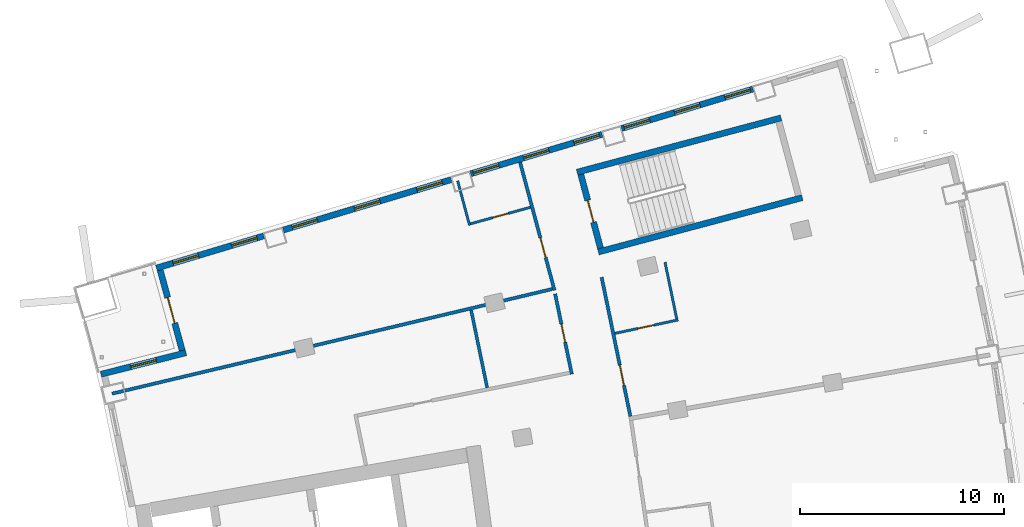
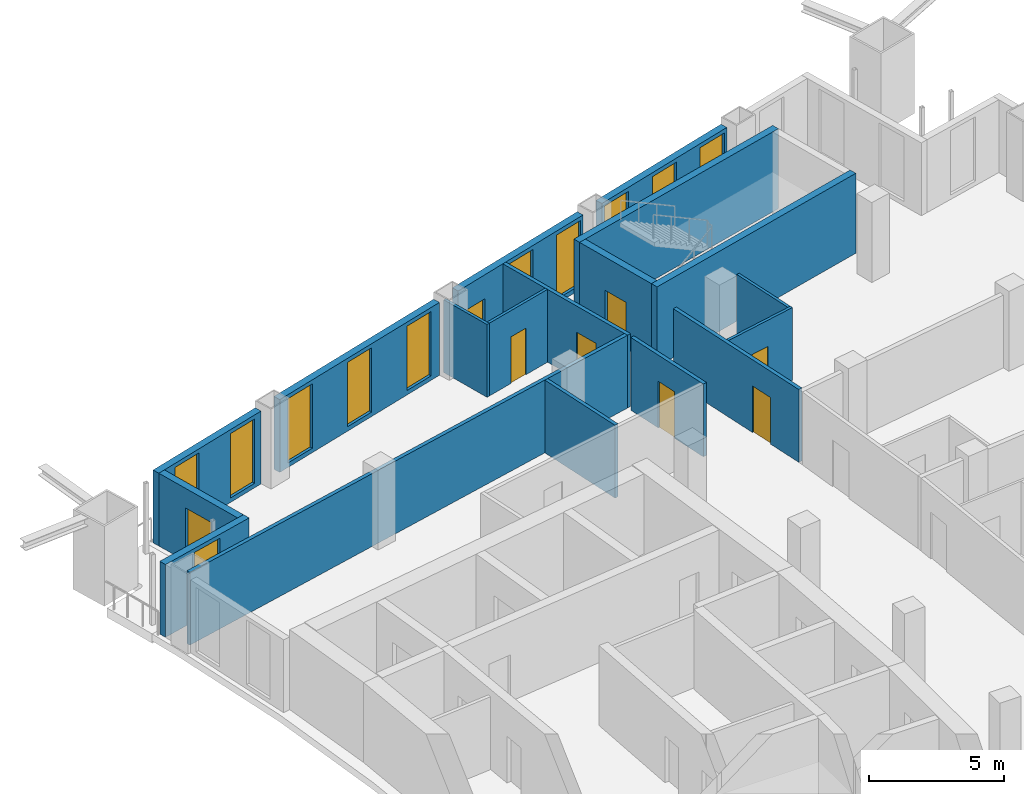
# One storey, part 16 of 20: 18 walls, 12 windows, 7 doors, 19 openings.
"""IFC4 building model written with IfcOpenShell, lengths in metres."""

from ifc_helpers import new_model, si_unit, direction, frame, frame_2d, origin, place, context, subcontext, project, spatial, rectangle, extrude, material, layer, layer_set, type_object, element, fill, save


model = new_model("IFC4")

# Units and contexts
model_context = context("Model", 3, precision=1e-05, world=origin(), true_north=direction((0.0, 1.0)))
body_context = subcontext(model_context, "Body", "Model", "MODEL_VIEW")
ifc_project = project(units=[si_unit("LENGTHUNIT", "METRE"), si_unit("AREAUNIT", "SQUARE_METRE"), si_unit("VOLUMEUNIT", "CUBIC_METRE"), si_unit("PLANEANGLEUNIT", "RADIAN"), si_unit("MASSUNIT", "GRAM", prefix="KILO")], contexts=[model_context])

# Site, building, storey
site_placement = place(None, origin())
site = spatial("IfcSite", under=ifc_project, at=site_placement, CompositionType="ELEMENT")
building_placement = place(site_placement, origin())
building = spatial("IfcBuilding", under=site, at=building_placement, Name="Alderwake Tower", CompositionType="ELEMENT")
storey_placement = place(building_placement, frame((0.0, 0.0, 178.39990234375)))
storey = spatial("IfcBuildingStorey", under=building, at=storey_placement, Name="L44", CompositionType="ELEMENT", Elevation=178.39990234375)

# Walls
ifc_material_1 = material(Name="Concrete C70/85", Category="concrete")
ifc_layer_1 = layer(ifc_material_1, 0.300048828125)
ifc_layer_set_1 = layer_set([ifc_layer_1], Name="Core wall stair enclosure 300 C70-85")
wall_type_1 = type_object("IfcWallType", Name="Core wall stair enclosure 300 C70-85", PredefinedType="SHEAR", material=ifc_layer_set_1)
for number, where, z_axis, x_axis, name in (
    (1, (36.71142578125, 94.182373046875, 0.0), (0.0, 0.0, 1.0), (0.966309214305, 0.257383958996, 0.0), "Core wall CW.082"),
    (2, (37.75390625, 90.268798828125, 0.0), (0.0, 0.0, 1.0), (0.966309214305, 0.257383958996, 0.0), "Core wall CW.084"),
):
    element("IfcWall", number, at=place(storey_placement, frame(where, z_axis=z_axis, x_axis=x_axis)), inside=storey, type_object=wall_type_1, Name=name, PredefinedType="SHEAR", context=body_context, shape_type="SweptSolid", body=[
        extrude(rectangle(XDim=10.360107421875, YDim=0.300048828125, at=frame_2d((5.18017578125, 0.0))), origin(), (0.0, 0.0, 1.0), 3.60009765625),
    ])

# Wall, opening, door
wall_1_placement = place(storey_placement, frame((37.8603515625, 90.452392578125, 0.0), z_axis=(0.0, 0.0, 1.0), x_axis=(-0.257411420208, 0.966301899381, 0.0)))
wall_1 = element("IfcWall", 3, at=wall_1_placement, inside=storey, type_object=wall_type_1, Name="Core wall CW.083", PredefinedType="SHEAR", context=body_context, shape_type="SweptSolid", body=[
    extrude(rectangle(XDim=3.750244140625, YDim=0.300048828125, at=frame_2d((1.875, 0.0))), origin(), (0.0, 0.0, 1.0), 3.60009765625),
])
opening_1_placement = place(wall_1_placement, frame((1.324951171875, 0.0, 0.0)))
opening_1 = element("IfcOpeningElement", 4, at=opening_1_placement, cuts=wall_1, Name="Opening C062", PredefinedType="OPENING", context=body_context, shape_type="SweptSolid", body=[
    extrude(rectangle(XDim=1.10009765625, YDim=2.10009765625, at=frame_2d((0.550048828125, 1.050048828125))), frame((0.0, 0.159912109375, 0.0), z_axis=(0.0, -1.0, 0.0), x_axis=(1.0, 0.0, 0.0)), (0.0, 0.0, 1.0), 0.320068359375),
])
ifc_material_2 = material(Name="Steel-framed fire door leaf", Category="steel")
door_type_1 = type_object("IfcDoorType", Name="Core stair door 1100 fire-rated", OperationType="SINGLE_SWING_LEFT", PredefinedType="DOOR", material=ifc_material_2)
door_1_placement = place(opening_1_placement, origin())
door_1 = element("IfcDoor", 5, at=door_1_placement, inside=storey, type_object=door_type_1, Name="Stair door", OperationType="SINGLE_SWING_RIGHT", OverallHeight=2.10009765625, OverallWidth=1.10009765625, PredefinedType="DOOR", context=body_context, shape_type="SweptSolid", body=[
    extrude(rectangle(XDim=1.10009765625, YDim=2.10009765625, at=frame_2d((0.550048828125, 1.050048828125))), frame((0.0, 0.02490234375, 0.0), z_axis=(0.0, -1.0, 0.0), x_axis=(1.0, 0.0, 0.0)), (0.0, 0.0, 1.0), 0.050048828125),
])
fill(opening_1, door_1)

ifc_material_3 = material(Name="Gypsum board on metal studs, rated")
ifc_layer_2 = layer(ifc_material_3, 0.159912109375)
ifc_layer_set_2 = layer_set([ifc_layer_2], Name="Corridor wall 160")
wall_type_2 = type_object("IfcWallType", Name="Corridor wall 160", PredefinedType="PARTITIONING", material=ifc_layer_set_2)
wall_2_placement = place(storey_placement, frame((35.600830078125, 88.392578125, 0.0), z_axis=(0.0, 0.0, 1.0), x_axis=(-0.259509260101, 0.965740619381, 0.0)))
wall_2 = element("IfcWall", 6, at=wall_2_placement, inside=storey, type_object=wall_type_2, Name="WL/L44/W19", PredefinedType="PARTITIONING", context=body_context, shape_type="SweptSolid", body=[
    extrude(rectangle(XDim=6.50732421875, YDim=0.159912109375, at=frame_2d((3.253662109375, 0.0))), origin(), (0.0, 0.0, 1.0), 3.280029296875),
])
opening_2_placement = place(wall_2_placement, frame((1.65771484375, 0.0, 0.0)))
opening_2 = element("IfcOpeningElement", 7, at=opening_2_placement, cuts=wall_2, Name="Opening R12-U11.1", PredefinedType="OPENING", context=body_context, shape_type="SweptSolid", body=[
    extrude(rectangle(XDim=1.0, YDim=2.10009765625, at=frame_2d((0.5, 1.050048828125))), frame((0.0, 0.08984375, 0.0), z_axis=(0.0, -1.0, 0.0), x_axis=(1.0, 0.0, 0.0)), (0.0, 0.0, 1.0), 0.179931640625),
])
ifc_material_4 = material(Name="Solid timber leaf in steel frame", Category="steel")
door_type_2 = type_object("IfcDoorType", Name="Flat entrance door 1000 fire-rated", OperationType="SINGLE_SWING_LEFT", PredefinedType="DOOR", material=ifc_material_4)
door_2_placement = place(opening_2_placement, origin())
door_2 = element("IfcDoor", 8, at=door_2_placement, inside=storey, type_object=door_type_2, Name="DR/L44/U11.1", OperationType="SINGLE_SWING_LEFT", OverallHeight=2.10009765625, OverallWidth=1.0, PredefinedType="DOOR", context=body_context, shape_type="SweptSolid", body=[
    extrude(rectangle(XDim=1.0, YDim=2.10009765625, at=frame_2d((0.5, 1.050048828125))), frame((0.0, 0.02490234375, 0.0), z_axis=(0.0, -1.0, 0.0), x_axis=(1.0, 0.0, 0.0)), (0.0, 0.0, 1.0), 0.050048828125),
])
fill(opening_2, door_2)

# Wall
wall_3_placement = place(storey_placement, frame((35.502197265625, 88.451416015625, 0.0), z_axis=(0.0, 0.0, 1.0), x_axis=(-0.972894913244, -0.231247676278, 0.0)))
element("IfcWall", 9, at=wall_3_placement, inside=storey, type_object=wall_type_2, Name="WL/L44/W21", PredefinedType="PARTITIONING", context=body_context, shape_type="SweptSolid", body=[
    extrude(rectangle(XDim=22.220458984375, YDim=0.159912109375, at=frame_2d((11.1103515625, 0.0))), origin(), (0.0, 0.0, 1.0), 3.280029296875),
])

# Wall, opening, door
wall_4_placement = place(storey_placement, frame((36.451416015625, 84.272705078125, 0.0), z_axis=(0.0, 0.0, 1.0), x_axis=(-0.203258199701, 0.979125172924, 0.0)))
wall_4 = element("IfcWall", 10, at=wall_4_placement, inside=storey, type_object=wall_type_2, Name="WL/L44/W22", PredefinedType="PARTITIONING", context=body_context, shape_type="SweptSolid", body=[
    extrude(rectangle(XDim=4.020263671875, YDim=0.159912109375, at=frame_2d((2.01025390625, 0.0))), origin(), (0.0, 0.0, 1.0), 3.280029296875),
])
opening_3_placement = place(wall_4_placement, frame((1.599609375, 0.0, 0.0)))
opening_3 = element("IfcOpeningElement", 11, at=opening_3_placement, cuts=wall_4, Name="Opening R12-SBN2", PredefinedType="OPENING", context=body_context, shape_type="SweptSolid", body=[
    extrude(rectangle(XDim=0.89990234375, YDim=2.10009765625, at=frame_2d((0.449951171875, 1.050048828125))), frame((0.0, 0.08984375, 0.0), z_axis=(0.0, -1.0, 0.0), x_axis=(1.0, 0.0, 0.0)), (0.0, 0.0, 1.0), 0.179931640625),
])
ifc_material_5 = material(Name="Painted timber leaf", Category="wood")
door_type_3 = type_object("IfcDoorType", Name="Room door 900", OperationType="SINGLE_SWING_LEFT", PredefinedType="DOOR", material=ifc_material_5)
door_3_placement = place(opening_3_placement, origin())
door_3 = element("IfcDoor", 12, at=door_3_placement, inside=storey, type_object=door_type_3, Name="DR/L44/SBN2", OperationType="SINGLE_SWING_LEFT", OverallHeight=2.10009765625, OverallWidth=0.89990234375, PredefinedType="DOOR", context=body_context, shape_type="SweptSolid", body=[
    extrude(rectangle(XDim=0.89990234375, YDim=2.10009765625, at=frame_2d((0.449951171875, 1.050048828125))), frame((0.0, 0.02490234375, 0.0), z_axis=(0.0, -1.0, 0.0), x_axis=(1.0, 0.0, 0.0)), (0.0, 0.0, 1.0), 0.050048828125),
])
fill(opening_3, door_3)

wall_5_placement = place(storey_placement, frame((37.9169921875, 89.02490234375, 0.0), z_axis=(0.0, 0.0, 1.0), x_axis=(0.202416809878, -0.97929946139, 0.0)))
wall_5 = element("IfcWall", 13, at=wall_5_placement, inside=storey, type_object=wall_type_2, Name="WL/L44/W27", PredefinedType="PARTITIONING", context=body_context, shape_type="SweptSolid", body=[
    extrude(rectangle(XDim=6.97021484375, YDim=0.159912109375, at=frame_2d((3.485107421875, 0.0))), origin(), (0.0, 0.0, 1.0), 3.280029296875),
])
opening_4_placement = place(wall_5_placement, frame((4.3994140625, 0.0, 0.0)))
opening_4 = element("IfcOpeningElement", 14, at=opening_4_placement, cuts=wall_5, Name="Opening R12-U09.1", PredefinedType="OPENING", context=body_context, shape_type="SweptSolid", body=[
    extrude(rectangle(XDim=1.0, YDim=2.10009765625, at=frame_2d((0.5, 1.050048828125))), frame((0.0, 0.08984375, 0.0), z_axis=(0.0, -1.0, 0.0), x_axis=(1.0, 0.0, 0.0)), (0.0, 0.0, 1.0), 0.179931640625),
])
door_4_placement = place(opening_4_placement, origin())
door_4 = element("IfcDoor", 15, at=door_4_placement, inside=storey, type_object=door_type_2, Name="DR/L44/U09.1", OperationType="SINGLE_SWING_LEFT", OverallHeight=2.10009765625, OverallWidth=1.0, PredefinedType="DOOR", context=body_context, shape_type="SweptSolid", body=[
    extrude(rectangle(XDim=1.0, YDim=2.10009765625, at=frame_2d((0.5, 1.050048828125))), frame((0.0, 0.02490234375, 0.0), z_axis=(0.0, -1.0, 0.0), x_axis=(1.0, 0.0, 0.0)), (0.0, 0.0, 1.0), 0.050048828125),
])
fill(opening_4, door_4)

# Wall, openings, windows
ifc_material_6 = material(Name="Bronze metal cladding on lightweight framing")
ifc_layer_3 = layer(ifc_material_6, 0.300048828125)
ifc_layer_set_3 = layer_set([ifc_layer_3], Name="External wall EW2 bronze metal cladding")
wall_type_3 = type_object("IfcWallType", Name="External wall EW2 bronze metal cladding", PredefinedType="SOLIDWALL", material=ifc_layer_set_3)
wall_6_placement = place(storey_placement, frame((45.341552734375, 98.265625, 0.0), z_axis=(0.0, 0.0, 1.0), x_axis=(-0.957769353605, -0.287537589359, 0.0)))
wall_6 = element("IfcWall", 16, at=wall_6_placement, inside=storey, type_object=wall_type_3, Name="External wall 24", PredefinedType="SOLIDWALL", context=body_context, shape_type="SweptSolid", body=[
    extrude(rectangle(XDim=6.729736328125, YDim=0.300048828125, at=frame_2d((3.36474609375, 0.0))), origin(), (0.0, 0.0, 1.0), 3.280029296875),
])
opening_5_placement = place(wall_6_placement, frame((0.13720703125, 0.0, 0.199951171875)))
opening_5 = element("IfcOpeningElement", 17, at=opening_5_placement, cuts=wall_6, Name="Opening W1", PredefinedType="OPENING", context=body_context, shape_type="SweptSolid", body=[
    extrude(rectangle(XDim=1.300048828125, YDim=2.89990234375, at=frame_2d((0.64990234375, 1.449951171875))), frame((0.0, 0.159912109375, 0.0), z_axis=(0.0, -1.0, 0.0), x_axis=(1.0, 0.0, 0.0)), (0.0, 0.0, 1.0), 0.320068359375),
])
opening_6_placement = place(wall_6_placement, frame((2.71484375, 0.0, 0.199951171875)))
opening_6 = element("IfcOpeningElement", 18, at=opening_6_placement, cuts=wall_6, Name="Opening W1", PredefinedType="OPENING", context=body_context, shape_type="SweptSolid", body=[
    extrude(rectangle(XDim=1.300048828125, YDim=2.89990234375, at=frame_2d((0.64990234375, 1.449951171875))), frame((0.0, 0.159912109375, 0.0), z_axis=(0.0, -1.0, 0.0), x_axis=(1.0, 0.0, 0.0)), (0.0, 0.0, 1.0), 0.320068359375),
])
opening_7_placement = place(wall_6_placement, frame((5.292724609375, 0.0, 0.199951171875)))
opening_7 = element("IfcOpeningElement", 19, at=opening_7_placement, cuts=wall_6, Name="Opening W1", PredefinedType="OPENING", context=body_context, shape_type="SweptSolid", body=[
    extrude(rectangle(XDim=1.300048828125, YDim=2.89990234375, at=frame_2d((0.64990234375, 1.449951171875))), frame((0.0, 0.159912109375, 0.0), z_axis=(0.0, -1.0, 0.0), x_axis=(1.0, 0.0, 0.0)), (0.0, 0.0, 1.0), 0.320068359375),
])
ifc_material_7 = material(Name="Bronze tinted glass in aluminium frame", Category="aluminium")
window_type_1 = type_object("IfcWindowType", Name="Window W1 tall fixed and vent", PartitioningType="DOUBLE_PANEL_VERTICAL", PredefinedType="WINDOW", material=ifc_material_7)
window_1_placement = place(opening_5_placement, origin())
window_1 = element("IfcWindow", 20, at=window_1_placement, inside=storey, type_object=window_type_1, Name="Window W1 tall fixed and vent", OverallHeight=2.89990234375, OverallWidth=1.300048828125, PartitioningType="DOUBLE_PANEL_VERTICAL", PredefinedType="WINDOW", context=body_context, shape_type="SweptSolid", body=[
    extrude(rectangle(XDim=1.300048828125, YDim=2.89990234375, at=frame_2d((0.64990234375, 1.449951171875))), frame((0.0, 0.030029296875, 0.0), z_axis=(0.0, -1.0, 0.0), x_axis=(1.0, 0.0, 0.0)), (0.0, 0.0, 1.0), 0.06005859375),
])
fill(opening_5, window_1)
window_2_placement = place(opening_6_placement, origin())
window_2 = element("IfcWindow", 21, at=window_2_placement, inside=storey, type_object=window_type_1, Name="Window W1 tall fixed and vent", OverallHeight=2.89990234375, OverallWidth=1.300048828125, PartitioningType="DOUBLE_PANEL_VERTICAL", PredefinedType="WINDOW", context=body_context, shape_type="SweptSolid", body=[
    extrude(rectangle(XDim=1.300048828125, YDim=2.89990234375, at=frame_2d((0.64990234375, 1.449951171875))), frame((0.0, 0.030029296875, 0.0), z_axis=(0.0, -1.0, 0.0), x_axis=(1.0, 0.0, 0.0)), (0.0, 0.0, 1.0), 0.06005859375),
])
fill(opening_6, window_2)
window_3_placement = place(opening_7_placement, origin())
window_3 = element("IfcWindow", 22, at=window_3_placement, inside=storey, type_object=window_type_1, Name="Window W1 tall fixed and vent", OverallHeight=2.89990234375, OverallWidth=1.300048828125, PartitioningType="DOUBLE_PANEL_VERTICAL", PredefinedType="WINDOW", context=body_context, shape_type="SweptSolid", body=[
    extrude(rectangle(XDim=1.300048828125, YDim=2.89990234375, at=frame_2d((0.64990234375, 1.449951171875))), frame((0.0, 0.030029296875, 0.0), z_axis=(0.0, -1.0, 0.0), x_axis=(1.0, 0.0, 0.0)), (0.0, 0.0, 1.0), 0.06005859375),
])
fill(opening_7, window_3)

wall_7_placement = place(storey_placement, frame((37.9345703125, 96.0419921875, 0.0), z_axis=(0.0, 0.0, 1.0), x_axis=(-0.957766354081, -0.287547580396, 0.0)))
wall_7 = element("IfcWall", 23, at=wall_7_placement, inside=storey, type_object=wall_type_3, Name="External wall 25", PredefinedType="SOLIDWALL", context=body_context, shape_type="SweptSolid", body=[
    extrude(rectangle(XDim=6.7294921875, YDim=0.300048828125, at=frame_2d((3.36474609375, 0.0))), origin(), (0.0, 0.0, 1.0), 3.280029296875),
])
opening_8_placement = place(wall_7_placement, frame((0.136962890625, 0.0, 0.199951171875)))
opening_8 = element("IfcOpeningElement", 24, at=opening_8_placement, cuts=wall_7, Name="Opening W1", PredefinedType="OPENING", context=body_context, shape_type="SweptSolid", body=[
    extrude(rectangle(XDim=1.300048828125, YDim=2.89990234375, at=frame_2d((0.64990234375, 1.449951171875))), frame((0.0, 0.159912109375, 0.0), z_axis=(0.0, -1.0, 0.0), x_axis=(1.0, 0.0, 0.0)), (0.0, 0.0, 1.0), 0.320068359375),
])
opening_9_placement = place(wall_7_placement, frame((2.71484375, 0.0, 0.199951171875)))
opening_9 = element("IfcOpeningElement", 25, at=opening_9_placement, cuts=wall_7, Name="Opening W1", PredefinedType="OPENING", context=body_context, shape_type="SweptSolid", body=[
    extrude(rectangle(XDim=1.300048828125, YDim=2.89990234375, at=frame_2d((0.64990234375, 1.449951171875))), frame((0.0, 0.159912109375, 0.0), z_axis=(0.0, -1.0, 0.0), x_axis=(1.0, 0.0, 0.0)), (0.0, 0.0, 1.0), 0.320068359375),
])
opening_10_placement = place(wall_7_placement, frame((5.29248046875, 0.0, 1.0)))
opening_10 = element("IfcOpeningElement", 26, at=opening_10_placement, cuts=wall_7, Name="Opening W2", PredefinedType="OPENING", context=body_context, shape_type="SweptSolid", body=[
    extrude(rectangle(XDim=1.300048828125, YDim=1.199951171875, at=frame_2d((0.64990234375, 0.60009765625))), frame((0.0, 0.159912109375, 0.0), z_axis=(0.0, -1.0, 0.0), x_axis=(1.0, 0.0, 0.0)), (0.0, 0.0, 1.0), 0.320068359375),
])
window_4_placement = place(opening_8_placement, origin())
window_4 = element("IfcWindow", 27, at=window_4_placement, inside=storey, type_object=window_type_1, Name="Window W1 tall fixed and vent", OverallHeight=2.89990234375, OverallWidth=1.300048828125, PartitioningType="DOUBLE_PANEL_VERTICAL", PredefinedType="WINDOW", context=body_context, shape_type="SweptSolid", body=[
    extrude(rectangle(XDim=1.300048828125, YDim=2.89990234375, at=frame_2d((0.64990234375, 1.449951171875))), frame((0.0, 0.030029296875, 0.0), z_axis=(0.0, -1.0, 0.0), x_axis=(1.0, 0.0, 0.0)), (0.0, 0.0, 1.0), 0.06005859375),
])
fill(opening_8, window_4)
window_5_placement = place(opening_9_placement, origin())
window_5 = element("IfcWindow", 28, at=window_5_placement, inside=storey, type_object=window_type_1, Name="Window W1 tall fixed and vent", OverallHeight=2.89990234375, OverallWidth=1.300048828125, PartitioningType="DOUBLE_PANEL_VERTICAL", PredefinedType="WINDOW", context=body_context, shape_type="SweptSolid", body=[
    extrude(rectangle(XDim=1.300048828125, YDim=2.89990234375, at=frame_2d((0.64990234375, 1.449951171875))), frame((0.0, 0.030029296875, 0.0), z_axis=(0.0, -1.0, 0.0), x_axis=(1.0, 0.0, 0.0)), (0.0, 0.0, 1.0), 0.06005859375),
])
fill(opening_9, window_5)
ifc_material_8 = material(Name="Bronze tinted glass in aluminium frame", Category="aluminium")
window_type_2 = type_object("IfcWindowType", Name="Window W2 kitchen and bath", PartitioningType="SINGLE_PANEL", PredefinedType="WINDOW", material=ifc_material_8)
window_6_placement = place(opening_10_placement, origin())
window_6 = element("IfcWindow", 29, at=window_6_placement, inside=storey, type_object=window_type_2, Name="Window W2 kitchen and bath", OverallHeight=1.199951171875, OverallWidth=1.300048828125, PartitioningType="SINGLE_PANEL", PredefinedType="WINDOW", context=body_context, shape_type="SweptSolid", body=[
    extrude(rectangle(XDim=1.300048828125, YDim=1.199951171875, at=frame_2d((0.64990234375, 0.60009765625))), frame((0.0, 0.030029296875, 0.0), z_axis=(0.0, -1.0, 0.0), x_axis=(1.0, 0.0, 0.0)), (0.0, 0.0, 1.0), 0.06005859375),
])
fill(opening_10, window_6)

wall_8_placement = place(storey_placement, frame((30.527587890625, 93.818115234375, 0.0), z_axis=(0.0, 0.0, 1.0), x_axis=(-0.957768419769, -0.287540699891, 0.0)))
wall_8 = element("IfcWall", 30, at=wall_8_placement, inside=storey, type_object=wall_type_3, Name="External wall 26", PredefinedType="SOLIDWALL", context=body_context, shape_type="SweptSolid", body=[
    extrude(rectangle(XDim=8.595947265625, YDim=0.300048828125, at=frame_2d((4.2978515625, 0.0))), origin(), (0.0, 0.0, 1.0), 3.280029296875),
])
opening_11_placement = place(wall_8_placement, frame((0.447998046875, 0.0, 0.199951171875)))
opening_11 = element("IfcOpeningElement", 31, at=opening_11_placement, cuts=wall_8, Name="Opening W1", PredefinedType="OPENING", context=body_context, shape_type="SweptSolid", body=[
    extrude(rectangle(XDim=1.300048828125, YDim=2.89990234375, at=frame_2d((0.64990234375, 1.449951171875))), frame((0.0, 0.159912109375, 0.0), z_axis=(0.0, -1.0, 0.0), x_axis=(1.0, 0.0, 0.0)), (0.0, 0.0, 1.0), 0.320068359375),
])
opening_12_placement = place(wall_8_placement, frame((3.64794921875, 0.0, 0.199951171875)))
opening_12 = element("IfcOpeningElement", 32, at=opening_12_placement, cuts=wall_8, Name="Opening W1", PredefinedType="OPENING", context=body_context, shape_type="SweptSolid", body=[
    extrude(rectangle(XDim=1.300048828125, YDim=2.89990234375, at=frame_2d((0.64990234375, 1.449951171875))), frame((0.0, 0.159912109375, 0.0), z_axis=(0.0, -1.0, 0.0), x_axis=(1.0, 0.0, 0.0)), (0.0, 0.0, 1.0), 0.320068359375),
])
opening_13_placement = place(wall_8_placement, frame((6.84814453125, 0.0, 0.199951171875)))
opening_13 = element("IfcOpeningElement", 33, at=opening_13_placement, cuts=wall_8, Name="Opening W1", PredefinedType="OPENING", context=body_context, shape_type="SweptSolid", body=[
    extrude(rectangle(XDim=1.300048828125, YDim=2.89990234375, at=frame_2d((0.64990234375, 1.449951171875))), frame((0.0, 0.159912109375, 0.0), z_axis=(0.0, -1.0, 0.0), x_axis=(1.0, 0.0, 0.0)), (0.0, 0.0, 1.0), 0.320068359375),
])
window_7_placement = place(opening_11_placement, origin())
window_7 = element("IfcWindow", 34, at=window_7_placement, inside=storey, type_object=window_type_1, Name="Window W1 tall fixed and vent", OverallHeight=2.89990234375, OverallWidth=1.300048828125, PartitioningType="DOUBLE_PANEL_VERTICAL", PredefinedType="WINDOW", context=body_context, shape_type="SweptSolid", body=[
    extrude(rectangle(XDim=1.300048828125, YDim=2.89990234375, at=frame_2d((0.64990234375, 1.449951171875))), frame((0.0, 0.030029296875, 0.0), z_axis=(0.0, -1.0, 0.0), x_axis=(1.0, 0.0, 0.0)), (0.0, 0.0, 1.0), 0.06005859375),
])
fill(opening_11, window_7)
window_8_placement = place(opening_12_placement, origin())
window_8 = element("IfcWindow", 35, at=window_8_placement, inside=storey, type_object=window_type_1, Name="Window W1 tall fixed and vent", OverallHeight=2.89990234375, OverallWidth=1.300048828125, PartitioningType="DOUBLE_PANEL_VERTICAL", PredefinedType="WINDOW", context=body_context, shape_type="SweptSolid", body=[
    extrude(rectangle(XDim=1.300048828125, YDim=2.89990234375, at=frame_2d((0.64990234375, 1.449951171875))), frame((0.0, 0.030029296875, 0.0), z_axis=(0.0, -1.0, 0.0), x_axis=(1.0, 0.0, 0.0)), (0.0, 0.0, 1.0), 0.06005859375),
])
fill(opening_12, window_8)
window_9_placement = place(opening_13_placement, origin())
window_9 = element("IfcWindow", 36, at=window_9_placement, inside=storey, type_object=window_type_1, Name="Window W1 tall fixed and vent", OverallHeight=2.89990234375, OverallWidth=1.300048828125, PartitioningType="DOUBLE_PANEL_VERTICAL", PredefinedType="WINDOW", context=body_context, shape_type="SweptSolid", body=[
    extrude(rectangle(XDim=1.300048828125, YDim=2.89990234375, at=frame_2d((0.64990234375, 1.449951171875))), frame((0.0, 0.030029296875, 0.0), z_axis=(0.0, -1.0, 0.0), x_axis=(1.0, 0.0, 0.0)), (0.0, 0.0, 1.0), 0.06005859375),
])
fill(opening_13, window_9)

wall_9_placement = place(storey_placement, frame((21.332763671875, 91.0576171875, 0.0), z_axis=(0.0, 0.0, 1.0), x_axis=(-0.957767615614, -0.287543378434, 0.0)))
wall_9 = element("IfcWall", 37, at=wall_9_placement, inside=storey, type_object=wall_type_3, Name="External wall 27", PredefinedType="SOLIDWALL", context=body_context, shape_type="SweptSolid", body=[
    extrude(rectangle(XDim=5.499267578125, YDim=0.300048828125, at=frame_2d((2.74951171875, 0.0))), origin(), (0.0, 0.0, 1.0), 3.280029296875),
])
opening_14_placement = place(wall_9_placement, frame((0.34814453125, 0.0, 0.199951171875)))
opening_14 = element("IfcOpeningElement", 38, at=opening_14_placement, cuts=wall_9, Name="Opening W1", PredefinedType="OPENING", context=body_context, shape_type="SweptSolid", body=[
    extrude(rectangle(XDim=1.300048828125, YDim=2.89990234375, at=frame_2d((0.64990234375, 1.449951171875))), frame((0.0, 0.159912109375, 0.0), z_axis=(0.0, -1.0, 0.0), x_axis=(1.0, 0.0, 0.0)), (0.0, 0.0, 1.0), 0.320068359375),
])
opening_15_placement = place(wall_9_placement, frame((3.34912109375, 0.0, 0.199951171875)))
opening_15 = element("IfcOpeningElement", 39, at=opening_15_placement, cuts=wall_9, Name="Opening W1", PredefinedType="OPENING", context=body_context, shape_type="SweptSolid", body=[
    extrude(rectangle(XDim=1.300048828125, YDim=2.89990234375, at=frame_2d((0.64990234375, 1.449951171875))), frame((0.0, 0.159912109375, 0.0), z_axis=(0.0, -1.0, 0.0), x_axis=(1.0, 0.0, 0.0)), (0.0, 0.0, 1.0), 0.320068359375),
])
window_10_placement = place(opening_14_placement, origin())
window_10 = element("IfcWindow", 40, at=window_10_placement, inside=storey, type_object=window_type_1, Name="Window W1 tall fixed and vent", OverallHeight=2.89990234375, OverallWidth=1.300048828125, PartitioningType="DOUBLE_PANEL_VERTICAL", PredefinedType="WINDOW", context=body_context, shape_type="SweptSolid", body=[
    extrude(rectangle(XDim=1.300048828125, YDim=2.89990234375, at=frame_2d((0.64990234375, 1.449951171875))), frame((0.0, 0.030029296875, 0.0), z_axis=(0.0, -1.0, 0.0), x_axis=(1.0, 0.0, 0.0)), (0.0, 0.0, 1.0), 0.06005859375),
])
fill(opening_14, window_10)
window_11_placement = place(opening_15_placement, origin())
window_11 = element("IfcWindow", 41, at=window_11_placement, inside=storey, type_object=window_type_1, Name="Window W1 tall fixed and vent", OverallHeight=2.89990234375, OverallWidth=1.300048828125, PartitioningType="DOUBLE_PANEL_VERTICAL", PredefinedType="WINDOW", context=body_context, shape_type="SweptSolid", body=[
    extrude(rectangle(XDim=1.300048828125, YDim=2.89990234375, at=frame_2d((0.64990234375, 1.449951171875))), frame((0.0, 0.030029296875, 0.0), z_axis=(0.0, -1.0, 0.0), x_axis=(1.0, 0.0, 0.0)), (0.0, 0.0, 1.0), 0.06005859375),
])
fill(opening_15, window_11)

# Wall, opening, door
wall_10_placement = place(storey_placement, frame((16.248779296875, 89.374755859375, 0.0), z_axis=(0.0, 0.0, 1.0), x_axis=(0.264607053468, -0.964356317579, 0.0)))
wall_10 = element("IfcWall", 42, at=wall_10_placement, inside=storey, type_object=wall_type_3, Name="External wall 28", PredefinedType="SOLIDWALL", context=body_context, shape_type="SweptSolid", body=[
    extrude(rectangle(XDim=4.090087890625, YDim=0.300048828125, at=frame_2d((2.044921875, 0.0))), origin(), (0.0, 0.0, 1.0), 3.280029296875),
])
opening_16_placement = place(wall_10_placement, frame((1.39501953125, 0.0, 0.0)))
opening_16 = element("IfcOpeningElement", 43, at=opening_16_placement, cuts=wall_10, Name="Opening D09", PredefinedType="OPENING", context=body_context, shape_type="SweptSolid", body=[
    extrude(rectangle(XDim=1.300048828125, YDim=2.39990234375, at=frame_2d((0.64990234375, 1.199951171875))), frame((0.0, 0.159912109375, 0.0), z_axis=(0.0, -1.0, 0.0), x_axis=(1.0, 0.0, 0.0)), (0.0, 0.0, 1.0), 0.320068359375),
])
ifc_material_9 = material(Name="Bronze tinted glass in aluminium frame", Category="aluminium")
door_type_4 = type_object("IfcDoorType", Name="Balcony door BD sliding", OperationType="SLIDING_TO_LEFT", PredefinedType="DOOR", material=ifc_material_9)
door_5_placement = place(opening_16_placement, origin())
door_5 = element("IfcDoor", 44, at=door_5_placement, inside=storey, type_object=door_type_4, Name="Door D09", OperationType="SLIDING_TO_LEFT", OverallHeight=2.39990234375, OverallWidth=1.300048828125, PredefinedType="DOOR", context=body_context, shape_type="SweptSolid", body=[
    extrude(rectangle(XDim=1.300048828125, YDim=2.39990234375, at=frame_2d((0.64990234375, 1.199951171875))), frame((0.0, 0.02490234375, 0.0), z_axis=(0.0, -1.0, 0.0), x_axis=(1.0, 0.0, 0.0)), (0.0, 0.0, 1.0), 0.050048828125),
])
fill(opening_16, door_5)

# Wall, opening, window
wall_11_placement = place(storey_placement, frame((17.51611328125, 85.32275390625, 0.0), z_axis=(0.0, 0.0, 1.0), x_axis=(-0.969417740682, -0.245416470617, 0.0)))
wall_11 = element("IfcWall", 45, at=wall_11_placement, inside=storey, type_object=wall_type_3, Name="External wall 29", PredefinedType="SOLIDWALL", context=body_context, shape_type="SweptSolid", body=[
    extrude(rectangle(XDim=4.305419921875, YDim=0.300048828125, at=frame_2d((2.15283203125, 0.0))), origin(), (0.0, 0.0, 1.0), 3.280029296875),
])
opening_17_placement = place(wall_11_placement, frame((1.502685546875, 0.0, 0.199951171875)))
opening_17 = element("IfcOpeningElement", 46, at=opening_17_placement, cuts=wall_11, Name="Opening W1", PredefinedType="OPENING", context=body_context, shape_type="SweptSolid", body=[
    extrude(rectangle(XDim=1.300048828125, YDim=2.89990234375, at=frame_2d((0.64990234375, 1.449951171875))), frame((0.0, 0.159912109375, 0.0), z_axis=(0.0, -1.0, 0.0), x_axis=(1.0, 0.0, 0.0)), (0.0, 0.0, 1.0), 0.320068359375),
])
window_12_placement = place(opening_17_placement, origin())
window_12 = element("IfcWindow", 47, at=window_12_placement, inside=storey, type_object=window_type_1, Name="Window W1 tall fixed and vent", OverallHeight=2.89990234375, OverallWidth=1.300048828125, PartitioningType="DOUBLE_PANEL_VERTICAL", PredefinedType="WINDOW", context=body_context, shape_type="SweptSolid", body=[
    extrude(rectangle(XDim=1.300048828125, YDim=2.89990234375, at=frame_2d((0.64990234375, 1.449951171875))), frame((0.0, 0.030029296875, 0.0), z_axis=(0.0, -1.0, 0.0), x_axis=(1.0, 0.0, 0.0)), (0.0, 0.0, 1.0), 0.06005859375),
])
fill(opening_17, window_12)

# Walls
ifc_material_10 = material(Name="Gypsum shaft wall system, rated")
ifc_layer_4 = layer(ifc_material_10, 0.14990234375)
ifc_layer_set_4 = layer_set([ifc_layer_4], Name="Riser and shaft wall 150")
wall_type_4 = type_object("IfcWallType", Name="Riser and shaft wall 150", PredefinedType="PARTITIONING", material=ifc_layer_set_4)
wall_12_placement = place(storey_placement, frame((32.2998046875, 83.601318359375, 0.0), z_axis=(0.0, 0.0, 1.0), x_axis=(-0.202493797034, 0.979283545334, 0.0)))
element("IfcWall", 48, at=wall_12_placement, inside=storey, type_object=wall_type_4, Name="WL/L44/W10", PredefinedType="PARTITIONING", context=body_context, shape_type="SweptSolid", body=[
    extrude(rectangle(XDim=3.899169921875, YDim=0.14990234375, at=frame_2d((1.94970703125, 0.0))), origin(), (0.0, 0.0, 1.0), 3.280029296875),
])
ifc_material_11 = material(Name="Moisture resistant gypsum board on metal studs")
ifc_layer_5 = layer(ifc_material_11, 0.1201171875)
ifc_layer_set_5 = layer_set([ifc_layer_5], Name="Wet room partition 120")
wall_type_5 = type_object("IfcWallType", Name="Wet room partition 120", PredefinedType="PARTITIONING", material=ifc_layer_set_5)
wall_13_placement = place(storey_placement, frame((30.84912109375, 93.759033203125, 0.0), z_axis=(0.0, 0.0, 1.0), x_axis=(0.259155613864, -0.965835580108, 0.0)))
element("IfcWall", 49, at=wall_13_placement, inside=storey, type_object=wall_type_5, Name="WL/L44/W36", PredefinedType="PARTITIONING", context=body_context, shape_type="SweptSolid", body=[
    extrude(rectangle(XDim=2.259033203125, YDim=0.1201171875, at=frame_2d((1.12939453125, 0.0))), origin(), (0.0, 0.0, 1.0), 3.280029296875),
])

# Wall, opening, door
wall_14_placement = place(storey_placement, frame((31.476806640625, 91.65087890625, 0.0), z_axis=(0.0, 0.0, 1.0), x_axis=(0.964118102321, 0.265473698843, 0.0)))
wall_14 = element("IfcWall", 50, at=wall_14_placement, inside=storey, type_object=wall_type_5, Name="WL/L44/W38", PredefinedType="PARTITIONING", context=body_context, shape_type="SweptSolid", body=[
    extrude(rectangle(XDim=3.058837890625, YDim=0.1201171875, at=frame_2d((1.529296875, 0.0))), origin(), (0.0, 0.0, 1.0), 3.280029296875),
])
opening_18_placement = place(wall_14_placement, frame((1.12939453125, 0.0, 0.0)))
opening_18 = element("IfcOpeningElement", 51, at=opening_18_placement, cuts=wall_14, Name="Opening R12-U11.2", PredefinedType="OPENING", context=body_context, shape_type="SweptSolid", body=[
    extrude(rectangle(XDim=0.800048828125, YDim=2.10009765625, at=frame_2d((0.39990234375, 1.050048828125))), frame((0.0, 0.070068359375, 0.0), z_axis=(0.0, -1.0, 0.0), x_axis=(1.0, 0.0, 0.0)), (0.0, 0.0, 1.0), 0.14013671875),
])
ifc_material_12 = material(Name="Painted timber leaf", Category="wood")
door_type_5 = type_object("IfcDoorType", Name="Bathroom door 800", OperationType="SINGLE_SWING_LEFT", PredefinedType="DOOR", material=ifc_material_12)
door_6_placement = place(opening_18_placement, origin())
door_6 = element("IfcDoor", 52, at=door_6_placement, inside=storey, type_object=door_type_5, Name="DR/L44/U11.2", OperationType="SINGLE_SWING_LEFT", OverallHeight=2.10009765625, OverallWidth=0.800048828125, PredefinedType="DOOR", context=body_context, shape_type="SweptSolid", body=[
    extrude(rectangle(XDim=0.800048828125, YDim=2.10009765625, at=frame_2d((0.39990234375, 1.050048828125))), frame((0.0, 0.02490234375, 0.0), z_axis=(0.0, -1.0, 0.0), x_axis=(1.0, 0.0, 0.0)), (0.0, 0.0, 1.0), 0.050048828125),
])
fill(opening_18, door_6)

wall_15_placement = place(storey_placement, frame((38.568115234375, 86.272705078125, 0.0), z_axis=(0.0, 0.0, 1.0), x_axis=(0.978050304183, 0.208368909598, 0.0)))
wall_15 = element("IfcWall", 53, at=wall_15_placement, inside=storey, type_object=wall_type_5, Name="WL/L44/W40", PredefinedType="PARTITIONING", context=body_context, shape_type="SweptSolid", body=[
    extrude(rectangle(XDim=3.176513671875, YDim=0.1201171875, at=frame_2d((1.58837890625, 0.0))), origin(), (0.0, 0.0, 1.0), 3.280029296875),
])
opening_19_placement = place(wall_15_placement, frame((1.15869140625, 0.0, 0.0)))
opening_19 = element("IfcOpeningElement", 54, at=opening_19_placement, cuts=wall_15, Name="Opening R12-U09.2", PredefinedType="OPENING", context=body_context, shape_type="SweptSolid", body=[
    extrude(rectangle(XDim=0.800048828125, YDim=2.10009765625, at=frame_2d((0.39990234375, 1.050048828125))), frame((0.0, 0.070068359375, 0.0), z_axis=(0.0, -1.0, 0.0), x_axis=(1.0, 0.0, 0.0)), (0.0, 0.0, 1.0), 0.14013671875),
])
door_7_placement = place(opening_19_placement, origin())
door_7 = element("IfcDoor", 55, at=door_7_placement, inside=storey, type_object=door_type_5, Name="DR/L44/U09.2", OperationType="SINGLE_SWING_LEFT", OverallHeight=2.10009765625, OverallWidth=0.800048828125, PredefinedType="DOOR", context=body_context, shape_type="SweptSolid", body=[
    extrude(rectangle(XDim=0.800048828125, YDim=2.10009765625, at=frame_2d((0.39990234375, 1.050048828125))), frame((0.0, 0.02490234375, 0.0), z_axis=(0.0, -1.0, 0.0), x_axis=(1.0, 0.0, 0.0)), (0.0, 0.0, 1.0), 0.050048828125),
])
fill(opening_19, door_7)

# Wall
wall_16_placement = place(storey_placement, frame((41.603759765625, 86.980712890625, 0.0), z_axis=(0.0, 0.0, 1.0), x_axis=(-0.202622652807, 0.97925689202, 0.0)))
element("IfcWall", 56, at=wall_16_placement, inside=storey, type_object=wall_type_5, Name="WL/L44/W44", PredefinedType="PARTITIONING", context=body_context, shape_type="SweptSolid", body=[
    extrude(rectangle(XDim=2.841064453125, YDim=0.1201171875, at=frame_2d((1.42041015625, 0.0))), origin(), (0.0, 0.0, 1.0), 3.280029296875),
])

save(model, "model.ifc")
